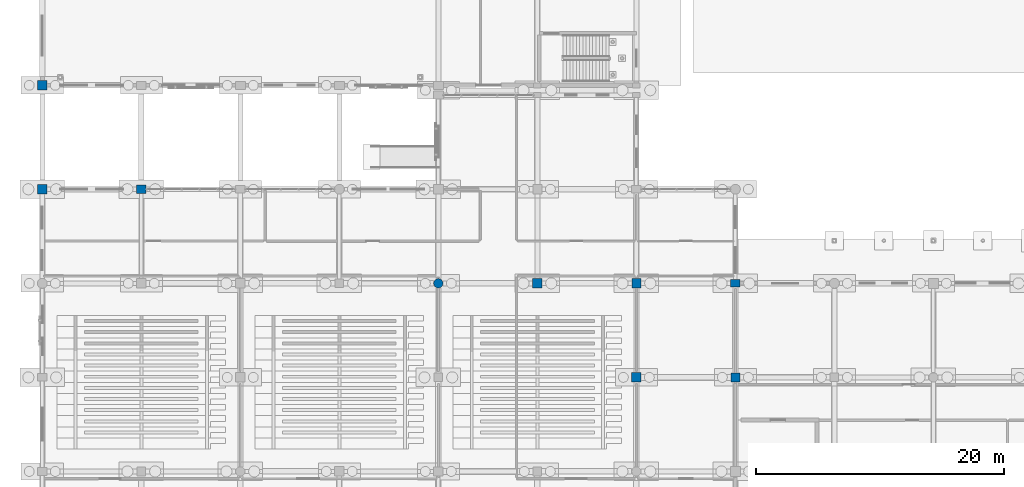
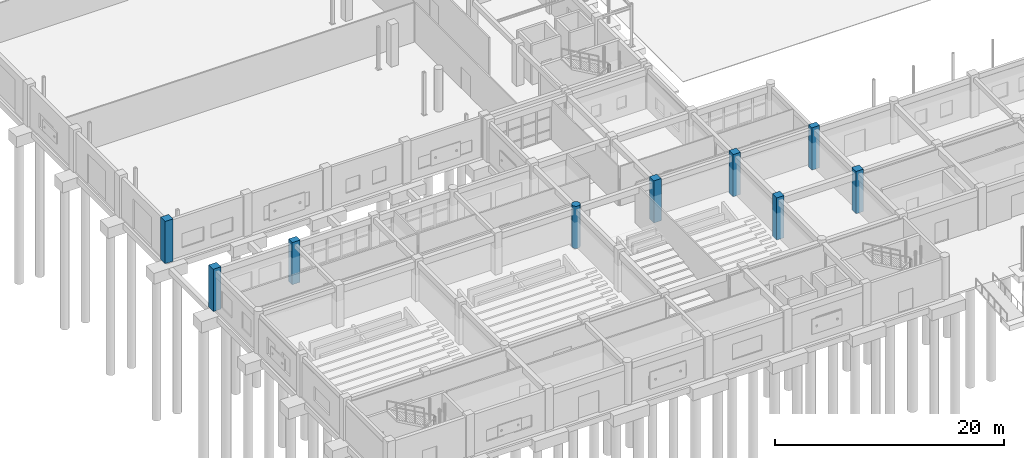
# One storey, part 15 of 166: 9 columns.
"""IFC4 building model written with IfcOpenShell, lengths in metres."""

from ifc_helpers import new_model, si_unit, direction, frame, origin, origin_2d, place, context, subcontext, project, spatial, rectangle, circle, extrude, material, material_profile, profile_set, type_object, element, save


model = new_model("IFC4")

# Units and contexts
model_context = context("Model", 3, precision=1e-05, world=origin(), true_north=direction((0.0, 1.0)))
body_context = subcontext(model_context, "Body", "Model", "MODEL_VIEW")
ifc_project = project(units=[si_unit("LENGTHUNIT", "METRE"), si_unit("AREAUNIT", "SQUARE_METRE"), si_unit("VOLUMEUNIT", "CUBIC_METRE"), si_unit("PLANEANGLEUNIT", "RADIAN"), si_unit("MASSUNIT", "GRAM", prefix="KILO")], contexts=[model_context])

# Site, building, storey
site_placement = place(None, origin())
site = spatial("IfcSite", under=ifc_project, at=site_placement, CompositionType="ELEMENT")
building_placement = place(site_placement, origin())
building = spatial("IfcBuilding", under=site, at=building_placement, Name="Kharva Crest Polytechnic", CompositionType="ELEMENT")
storey_placement = place(building_placement, origin())
storey = spatial("IfcBuildingStorey", under=building, at=storey_placement, Name="L00", CompositionType="ELEMENT", Elevation=0.0)

# Columns
ifc_material = material(Name="Concrete C40/50", Category="concrete")
ifc_material_profile_1 = material_profile(ifc_material, rectangle(XDim=0.780029296875, YDim=0.60009765625, at=origin_2d()), Name="RECT 780 X 600")
ifc_profile_set_1 = profile_set([ifc_material_profile_1], Name="Concrete C40/50")
column_type_1 = type_object("IfcColumnType", Name="COL-EXT-780X600", PredefinedType="COLUMN", material=ifc_profile_set_1)
column_1_placement = place(storey_placement, frame((56.0, 22.800048828125, 0.0), z_axis=(0.0, 0.0, 1.0), x_axis=(1.0, 0.0, 0.0)))
element("IfcColumn", 1, at=column_1_placement, inside=storey, type_object=column_type_1, Name="L00 Column 8/D", PredefinedType="COLUMN", context=body_context, shape_type="SweptSolid", body=[
    extrude(rectangle(XDim=0.780029296875, YDim=0.60009765625, at=origin_2d()), origin(), (0.0, 0.0, 1.0), 4.5),
])
ifc_material_profile_2 = material_profile(ifc_material, rectangle(XDim=0.800048828125, YDim=0.64990234375, at=origin_2d()), Name="RECT 800 X 650")
ifc_profile_set_2 = profile_set([ifc_material_profile_2], Name="Concrete C40/50")
column_type_2 = type_object("IfcColumnType", Name="COL-EXT-800X650", PredefinedType="COLUMN", material=ifc_profile_set_2)
column_2_placement = place(storey_placement, frame((8.0, 30.39990234375, 0.0), z_axis=(0.0, 0.0, 1.0), x_axis=(1.0, 0.0, 0.0)))
element("IfcColumn", 2, at=column_2_placement, inside=storey, type_object=column_type_2, Name="L00 Column 2/E", PredefinedType="COLUMN", context=body_context, shape_type="SweptSolid", body=[
    extrude(rectangle(XDim=0.800048828125, YDim=0.64990234375, at=origin_2d()), origin(), (0.0, 0.0, 1.0), 4.5),
])
ifc_material_profile_3 = material_profile(ifc_material, rectangle(XDim=0.800048828125, YDim=0.800048828125, at=origin_2d()), Name="RECT 800 X 800")
ifc_profile_set_3 = profile_set([ifc_material_profile_3], Name="Concrete C40/50")
column_type_3 = type_object("IfcColumnType", Name="COL-EXT-800X800", PredefinedType="COLUMN", material=ifc_profile_set_3)
for number, where, z_axis, x_axis, name in (
    (3, (0.0, 30.39990234375, 0.0), (0.0, 0.0, 1.0), (1.0, 0.0, 0.0), "L00 Column 1/E"),
    (4, (0.0, 38.800048828125, 0.0), (0.0, 0.0, 1.0), (1.0, 0.0, 0.0), "L00 Column 1/FJ"),
):
    element("IfcColumn", number, at=place(storey_placement, frame(where, z_axis=z_axis, x_axis=x_axis)), inside=storey, type_object=column_type_3, Name=name, PredefinedType="COLUMN", context=body_context, shape_type="SweptSolid", body=[
        extrude(rectangle(XDim=0.800048828125, YDim=0.800048828125, at=origin_2d()), origin(), (0.0, 0.0, 1.0), 4.5),
    ])
ifc_material_profile_4 = material_profile(ifc_material, rectangle(XDim=0.739990234375, YDim=0.739990234375, at=origin_2d()), Name="RECT 740 X 740")
ifc_profile_set_4 = profile_set([ifc_material_profile_4], Name="Concrete C40/50")
column_type_4 = type_object("IfcColumnType", Name="COL-INT-740X740", PredefinedType="COLUMN", material=ifc_profile_set_4)
for number, where, z_axis, x_axis, name in (
    (5, (48.0, 22.800048828125, 0.0), (0.0, 0.0, 1.0), (1.0, 0.0, 0.0), "L00 Column 7/D"),
    (6, (56.0, 15.199951171875, 0.0), (0.0, 0.0, 1.0), (1.0, 0.0, 0.0), "L00 Column 8/C"),
):
    element("IfcColumn", number, at=place(storey_placement, frame(where, z_axis=z_axis, x_axis=x_axis)), inside=storey, type_object=column_type_4, Name=name, PredefinedType="COLUMN", context=body_context, shape_type="SweptSolid", body=[
        extrude(rectangle(XDim=0.739990234375, YDim=0.739990234375, at=origin_2d()), origin(), (0.0, 0.0, 1.0), 4.5),
    ])
ifc_material_profile_5 = material_profile(ifc_material, rectangle(XDim=0.760009765625, YDim=0.760009765625, at=origin_2d()), Name="RECT 760 X 760")
ifc_profile_set_5 = profile_set([ifc_material_profile_5], Name="Concrete C40/50")
column_type_5 = type_object("IfcColumnType", Name="COL-INT-760X760", PredefinedType="COLUMN", material=ifc_profile_set_5)
for number, where, z_axis, x_axis, name in (
    (7, (40.0, 22.800048828125, 0.0), (0.0, 0.0, 1.0), (1.0, 0.0, 0.0), "L00 Column 6/D"),
    (8, (48.0, 15.199951171875, 0.0), (0.0, 0.0, 1.0), (1.0, 0.0, 0.0), "L00 Column 7/C"),
):
    element("IfcColumn", number, at=place(storey_placement, frame(where, z_axis=z_axis, x_axis=x_axis)), inside=storey, type_object=column_type_5, Name=name, PredefinedType="COLUMN", context=body_context, shape_type="SweptSolid", body=[
        extrude(rectangle(XDim=0.760009765625, YDim=0.760009765625, at=origin_2d()), origin(), (0.0, 0.0, 1.0), 4.5),
    ])
ifc_material_profile_6 = material_profile(ifc_material, circle(Radius=0.375, at=origin_2d()), Name="DIA 750")
ifc_profile_set_6 = profile_set([ifc_material_profile_6], Name="Concrete C40/50")
column_type_6 = type_object("IfcColumnType", Name="COL-INT-DIA750", PredefinedType="COLUMN", material=ifc_profile_set_6)
column_3_placement = place(storey_placement, frame((32.0, 22.800048828125, 0.0), z_axis=(0.0, 0.0, 1.0), x_axis=(1.0, 0.0, 0.0)))
element("IfcColumn", 9, at=column_3_placement, inside=storey, type_object=column_type_6, Name="L00 Column 5/D", PredefinedType="COLUMN", context=body_context, shape_type="SweptSolid", body=[
    extrude(circle(Radius=0.375, at=origin_2d()), origin(), (0.0, 0.0, 1.0), 4.5),
])

save(model, "model.ifc")
